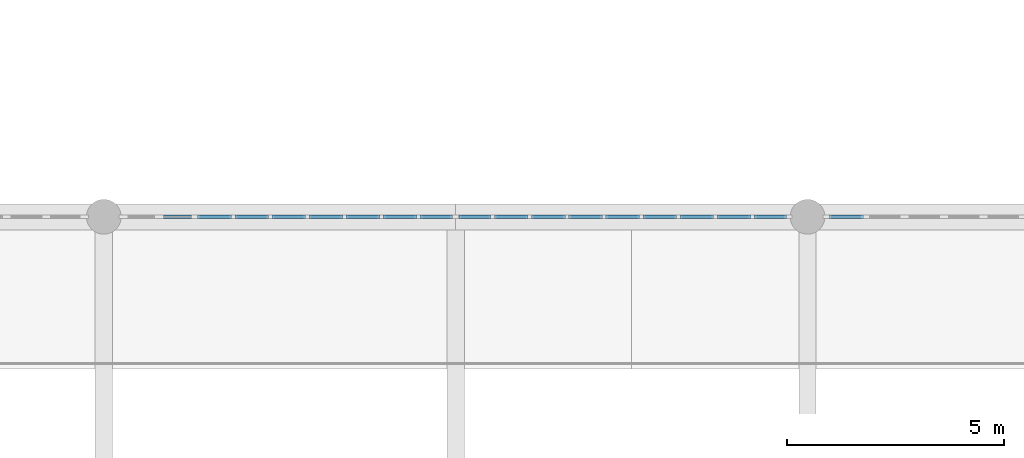
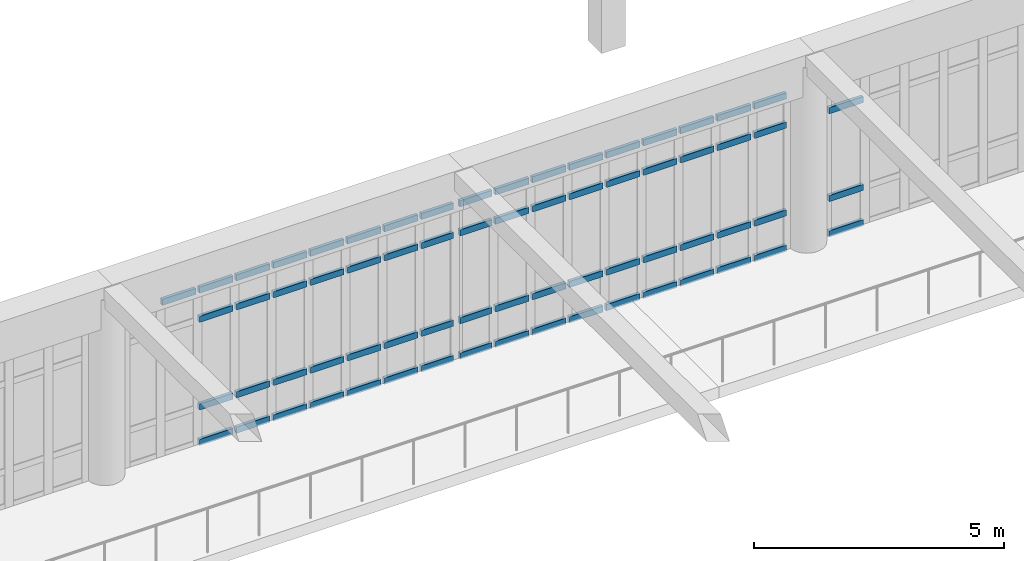
# One storey, part 21 of 61: 68 members, 3 elements without a shape of their own.
"""IFC4 building model written with IfcOpenShell, lengths in metres."""

from ifc_helpers import new_model, si_unit, direction, frame, origin, origin_2d, place, context, subcontext, project, spatial, rectangle, extrude, material, material_profile, profile_set, type_object, element, aggregate, save


model = new_model("IFC4")

# Units and contexts
model_context = context("Model", 3, precision=1e-05, world=origin(), true_north=direction((0.0, 1.0)))
body_context = subcontext(model_context, "Body", "Model", "MODEL_VIEW")
ifc_project = project(units=[si_unit("LENGTHUNIT", "METRE"), si_unit("AREAUNIT", "SQUARE_METRE"), si_unit("VOLUMEUNIT", "CUBIC_METRE"), si_unit("PLANEANGLEUNIT", "RADIAN"), si_unit("MASSUNIT", "GRAM", prefix="KILO")], contexts=[model_context])

# Site, building, storey
site_placement = place(None, origin())
site = spatial("IfcSite", under=ifc_project, at=site_placement, CompositionType="ELEMENT")
building_placement = place(site_placement, origin())
building = spatial("IfcBuilding", under=site, at=building_placement, Name="Tarnveldt Square Police Headquarters", CompositionType="ELEMENT")
storey_placement = place(building_placement, frame((0.0, 0.0, 5.39990234375)))
storey = spatial("IfcBuildingStorey", under=building, at=storey_placement, Name="L01", CompositionType="ELEMENT", Elevation=5.39990234375)

# Curtain wall, members
ifc_material_1 = material(Name="Triple-glazed low-e laminated vision glass", Category="glass")
curtain_wall_type_1 = type_object("IfcCurtainWallType", Name="CW-CT-768x379", PredefinedType="USERDEFINED", material=ifc_material_1)
curtain_wall_1_placement = place(storey_placement, origin())
curtain_wall_1 = element("IfcCurtainWall", 1, at=curtain_wall_1_placement, inside=storey, type_object=curtain_wall_type_1, Name="L01 Curtain Wall CW-L01-020", ObjectType="GLAZED CURTAIN WALL", PredefinedType="USERDEFINED")
ifc_material_2 = material(Name="Thermally broken anodised aluminium 6063-T6", Category="aluminium")
ifc_material_profile = material_profile(ifc_material_2, rectangle(XDim=0.074951171875, YDim=0.14990234375, at=origin_2d()), Name="CW-T75x150")
ifc_profile_set = profile_set([ifc_material_profile], Name="Thermally broken anodised aluminium 6063-T6")
member_type = type_object("IfcMemberType", Name="CWT-75x150", PredefinedType="USERDEFINED", material=ifc_profile_set)
member_1_placement = place(storey_placement, frame((82.306396484375, 48.0, 3.754638671875), z_axis=(1.0, 0.0, 0.0), x_axis=(0.0, 1.0, 0.0)))
member_1 = element("IfcMember", 2, at=member_1_placement, type_object=member_type, Name="CW-CT10 transom 2.4", ObjectType="TRANSOM", PredefinedType="USERDEFINED", context=body_context, shape_type="SweptSolid", body=[
    extrude(rectangle(XDim=0.074951171875, YDim=0.14990234375, at=origin_2d()), origin(), (0.0, 0.0, 1.0), 0.77880859375),
])
member_2_placement = place(storey_placement, frame((83.16015625, 48.0, 0.03759765625), z_axis=(1.0, 0.0, 0.0), x_axis=(0.0, 1.0, 0.0)))
member_2 = element("IfcMember", 3, at=member_2_placement, type_object=member_type, Name="CW-CT10 transom 3.1", ObjectType="TRANSOM", PredefinedType="USERDEFINED", context=body_context, shape_type="SweptSolid", body=[
    extrude(rectangle(XDim=0.074951171875, YDim=0.14990234375, at=origin_2d()), origin(), (0.0, 0.0, 1.0), 0.779052734375),
])
member_3_placement = place(storey_placement, frame((83.16015625, 48.0, 0.900146484375), z_axis=(1.0, 0.0, 0.0), x_axis=(0.0, 1.0, 0.0)))
member_3 = element("IfcMember", 4, at=member_3_placement, type_object=member_type, Name="CW-CT10 transom 3.2", ObjectType="TRANSOM", PredefinedType="USERDEFINED", context=body_context, shape_type="SweptSolid", body=[
    extrude(rectangle(XDim=0.074951171875, YDim=0.14990234375, at=origin_2d()), origin(), (0.0, 0.0, 1.0), 0.779052734375),
])
member_4_placement = place(storey_placement, frame((83.16015625, 48.0, 3.0419921875), z_axis=(1.0, 0.0, 0.0), x_axis=(0.0, 1.0, 0.0)))
member_4 = element("IfcMember", 5, at=member_4_placement, type_object=member_type, Name="CW-CT10 transom 3.3", ObjectType="TRANSOM", PredefinedType="USERDEFINED", context=body_context, shape_type="SweptSolid", body=[
    extrude(rectangle(XDim=0.074951171875, YDim=0.14990234375, at=origin_2d()), origin(), (0.0, 0.0, 1.0), 0.779052734375),
])
member_5_placement = place(storey_placement, frame((83.16015625, 48.0, 3.754638671875), z_axis=(1.0, 0.0, 0.0), x_axis=(0.0, 1.0, 0.0)))
member_5 = element("IfcMember", 6, at=member_5_placement, type_object=member_type, Name="CW-CT10 transom 3.4", ObjectType="TRANSOM", PredefinedType="USERDEFINED", context=body_context, shape_type="SweptSolid", body=[
    extrude(rectangle(XDim=0.074951171875, YDim=0.14990234375, at=origin_2d()), origin(), (0.0, 0.0, 1.0), 0.779052734375),
])
member_6_placement = place(storey_placement, frame((84.01416015625, 48.0, 0.03759765625), z_axis=(1.0, 0.0, 0.0), x_axis=(0.0, 1.0, 0.0)))
member_6 = element("IfcMember", 7, at=member_6_placement, type_object=member_type, Name="CW-CT10 transom 4.1", ObjectType="TRANSOM", PredefinedType="USERDEFINED", context=body_context, shape_type="SweptSolid", body=[
    extrude(rectangle(XDim=0.074951171875, YDim=0.14990234375, at=origin_2d()), origin(), (0.0, 0.0, 1.0), 0.77880859375),
])
member_7_placement = place(storey_placement, frame((84.01416015625, 48.0, 0.900146484375), z_axis=(1.0, 0.0, 0.0), x_axis=(0.0, 1.0, 0.0)))
member_7 = element("IfcMember", 8, at=member_7_placement, type_object=member_type, Name="CW-CT10 transom 4.2", ObjectType="TRANSOM", PredefinedType="USERDEFINED", context=body_context, shape_type="SweptSolid", body=[
    extrude(rectangle(XDim=0.074951171875, YDim=0.14990234375, at=origin_2d()), origin(), (0.0, 0.0, 1.0), 0.77880859375),
])
member_8_placement = place(storey_placement, frame((84.01416015625, 48.0, 3.0419921875), z_axis=(1.0, 0.0, 0.0), x_axis=(0.0, 1.0, 0.0)))
member_8 = element("IfcMember", 9, at=member_8_placement, type_object=member_type, Name="CW-CT10 transom 4.3", ObjectType="TRANSOM", PredefinedType="USERDEFINED", context=body_context, shape_type="SweptSolid", body=[
    extrude(rectangle(XDim=0.074951171875, YDim=0.14990234375, at=origin_2d()), origin(), (0.0, 0.0, 1.0), 0.77880859375),
])
member_9_placement = place(storey_placement, frame((84.01416015625, 48.0, 3.754638671875), z_axis=(1.0, 0.0, 0.0), x_axis=(0.0, 1.0, 0.0)))
member_9 = element("IfcMember", 10, at=member_9_placement, type_object=member_type, Name="CW-CT10 transom 4.4", ObjectType="TRANSOM", PredefinedType="USERDEFINED", context=body_context, shape_type="SweptSolid", body=[
    extrude(rectangle(XDim=0.074951171875, YDim=0.14990234375, at=origin_2d()), origin(), (0.0, 0.0, 1.0), 0.77880859375),
])
member_10_placement = place(storey_placement, frame((84.8681640625, 48.0, 0.03759765625), z_axis=(1.0, 0.0, 0.0), x_axis=(0.0, 1.0, 0.0)))
member_10 = element("IfcMember", 11, at=member_10_placement, type_object=member_type, Name="CW-CT10 transom 5.1", ObjectType="TRANSOM", PredefinedType="USERDEFINED", context=body_context, shape_type="SweptSolid", body=[
    extrude(rectangle(XDim=0.074951171875, YDim=0.14990234375, at=origin_2d()), origin(), (0.0, 0.0, 1.0), 0.77880859375),
])
member_11_placement = place(storey_placement, frame((84.8681640625, 48.0, 0.900146484375), z_axis=(1.0, 0.0, 0.0), x_axis=(0.0, 1.0, 0.0)))
member_11 = element("IfcMember", 12, at=member_11_placement, type_object=member_type, Name="CW-CT10 transom 5.2", ObjectType="TRANSOM", PredefinedType="USERDEFINED", context=body_context, shape_type="SweptSolid", body=[
    extrude(rectangle(XDim=0.074951171875, YDim=0.14990234375, at=origin_2d()), origin(), (0.0, 0.0, 1.0), 0.77880859375),
])
member_12_placement = place(storey_placement, frame((84.8681640625, 48.0, 3.0419921875), z_axis=(1.0, 0.0, 0.0), x_axis=(0.0, 1.0, 0.0)))
member_12 = element("IfcMember", 13, at=member_12_placement, type_object=member_type, Name="CW-CT10 transom 5.3", ObjectType="TRANSOM", PredefinedType="USERDEFINED", context=body_context, shape_type="SweptSolid", body=[
    extrude(rectangle(XDim=0.074951171875, YDim=0.14990234375, at=origin_2d()), origin(), (0.0, 0.0, 1.0), 0.77880859375),
])
member_13_placement = place(storey_placement, frame((84.8681640625, 48.0, 3.754638671875), z_axis=(1.0, 0.0, 0.0), x_axis=(0.0, 1.0, 0.0)))
member_13 = element("IfcMember", 14, at=member_13_placement, type_object=member_type, Name="CW-CT10 transom 5.4", ObjectType="TRANSOM", PredefinedType="USERDEFINED", context=body_context, shape_type="SweptSolid", body=[
    extrude(rectangle(XDim=0.074951171875, YDim=0.14990234375, at=origin_2d()), origin(), (0.0, 0.0, 1.0), 0.77880859375),
])
member_14_placement = place(storey_placement, frame((85.721923828125, 48.0, 0.03759765625), z_axis=(1.0, 0.0, 0.0), x_axis=(0.0, 1.0, 0.0)))
member_14 = element("IfcMember", 15, at=member_14_placement, type_object=member_type, Name="CW-CT10 transom 6.1", ObjectType="TRANSOM", PredefinedType="USERDEFINED", context=body_context, shape_type="SweptSolid", body=[
    extrude(rectangle(XDim=0.074951171875, YDim=0.14990234375, at=origin_2d()), origin(), (0.0, 0.0, 1.0), 0.77880859375),
])
member_15_placement = place(storey_placement, frame((85.721923828125, 48.0, 0.900146484375), z_axis=(1.0, 0.0, 0.0), x_axis=(0.0, 1.0, 0.0)))
member_15 = element("IfcMember", 16, at=member_15_placement, type_object=member_type, Name="CW-CT10 transom 6.2", ObjectType="TRANSOM", PredefinedType="USERDEFINED", context=body_context, shape_type="SweptSolid", body=[
    extrude(rectangle(XDim=0.074951171875, YDim=0.14990234375, at=origin_2d()), origin(), (0.0, 0.0, 1.0), 0.77880859375),
])
member_16_placement = place(storey_placement, frame((85.721923828125, 48.0, 3.0419921875), z_axis=(1.0, 0.0, 0.0), x_axis=(0.0, 1.0, 0.0)))
member_16 = element("IfcMember", 17, at=member_16_placement, type_object=member_type, Name="CW-CT10 transom 6.3", ObjectType="TRANSOM", PredefinedType="USERDEFINED", context=body_context, shape_type="SweptSolid", body=[
    extrude(rectangle(XDim=0.074951171875, YDim=0.14990234375, at=origin_2d()), origin(), (0.0, 0.0, 1.0), 0.77880859375),
])
member_17_placement = place(storey_placement, frame((85.721923828125, 48.0, 3.754638671875), z_axis=(1.0, 0.0, 0.0), x_axis=(0.0, 1.0, 0.0)))
member_17 = element("IfcMember", 18, at=member_17_placement, type_object=member_type, Name="CW-CT10 transom 6.4", ObjectType="TRANSOM", PredefinedType="USERDEFINED", context=body_context, shape_type="SweptSolid", body=[
    extrude(rectangle(XDim=0.074951171875, YDim=0.14990234375, at=origin_2d()), origin(), (0.0, 0.0, 1.0), 0.77880859375),
])
member_18_placement = place(storey_placement, frame((86.575927734375, 48.0, 0.03759765625), z_axis=(1.0, 0.0, 0.0), x_axis=(0.0, 1.0, 0.0)))
member_18 = element("IfcMember", 19, at=member_18_placement, type_object=member_type, Name="CW-CT10 transom 7.1", ObjectType="TRANSOM", PredefinedType="USERDEFINED", context=body_context, shape_type="SweptSolid", body=[
    extrude(rectangle(XDim=0.074951171875, YDim=0.14990234375, at=origin_2d()), origin(), (0.0, 0.0, 1.0), 0.77880859375),
])
member_19_placement = place(storey_placement, frame((86.575927734375, 48.0, 0.900146484375), z_axis=(1.0, 0.0, 0.0), x_axis=(0.0, 1.0, 0.0)))
member_19 = element("IfcMember", 20, at=member_19_placement, type_object=member_type, Name="CW-CT10 transom 7.2", ObjectType="TRANSOM", PredefinedType="USERDEFINED", context=body_context, shape_type="SweptSolid", body=[
    extrude(rectangle(XDim=0.074951171875, YDim=0.14990234375, at=origin_2d()), origin(), (0.0, 0.0, 1.0), 0.77880859375),
])
member_20_placement = place(storey_placement, frame((86.575927734375, 48.0, 3.0419921875), z_axis=(1.0, 0.0, 0.0), x_axis=(0.0, 1.0, 0.0)))
member_20 = element("IfcMember", 21, at=member_20_placement, type_object=member_type, Name="CW-CT10 transom 7.3", ObjectType="TRANSOM", PredefinedType="USERDEFINED", context=body_context, shape_type="SweptSolid", body=[
    extrude(rectangle(XDim=0.074951171875, YDim=0.14990234375, at=origin_2d()), origin(), (0.0, 0.0, 1.0), 0.77880859375),
])
member_21_placement = place(storey_placement, frame((86.575927734375, 48.0, 3.754638671875), z_axis=(1.0, 0.0, 0.0), x_axis=(0.0, 1.0, 0.0)))
member_21 = element("IfcMember", 22, at=member_21_placement, type_object=member_type, Name="CW-CT10 transom 7.4", ObjectType="TRANSOM", PredefinedType="USERDEFINED", context=body_context, shape_type="SweptSolid", body=[
    extrude(rectangle(XDim=0.074951171875, YDim=0.14990234375, at=origin_2d()), origin(), (0.0, 0.0, 1.0), 0.77880859375),
])
member_22_placement = place(storey_placement, frame((87.4296875, 48.0, 0.03759765625), z_axis=(1.0, 0.0, 0.0), x_axis=(0.0, 1.0, 0.0)))
member_22 = element("IfcMember", 23, at=member_22_placement, type_object=member_type, Name="CW-CT10 transom 8.1", ObjectType="TRANSOM", PredefinedType="USERDEFINED", context=body_context, shape_type="SweptSolid", body=[
    extrude(rectangle(XDim=0.074951171875, YDim=0.14990234375, at=origin_2d()), origin(), (0.0, 0.0, 1.0), 0.77880859375),
])
member_23_placement = place(storey_placement, frame((87.4296875, 48.0, 0.900146484375), z_axis=(1.0, 0.0, 0.0), x_axis=(0.0, 1.0, 0.0)))
member_23 = element("IfcMember", 24, at=member_23_placement, type_object=member_type, Name="CW-CT10 transom 8.2", ObjectType="TRANSOM", PredefinedType="USERDEFINED", context=body_context, shape_type="SweptSolid", body=[
    extrude(rectangle(XDim=0.074951171875, YDim=0.14990234375, at=origin_2d()), origin(), (0.0, 0.0, 1.0), 0.77880859375),
])
member_24_placement = place(storey_placement, frame((87.4296875, 48.0, 3.0419921875), z_axis=(1.0, 0.0, 0.0), x_axis=(0.0, 1.0, 0.0)))
member_24 = element("IfcMember", 25, at=member_24_placement, type_object=member_type, Name="CW-CT10 transom 8.3", ObjectType="TRANSOM", PredefinedType="USERDEFINED", context=body_context, shape_type="SweptSolid", body=[
    extrude(rectangle(XDim=0.074951171875, YDim=0.14990234375, at=origin_2d()), origin(), (0.0, 0.0, 1.0), 0.77880859375),
])
member_25_placement = place(storey_placement, frame((87.4296875, 48.0, 3.754638671875), z_axis=(1.0, 0.0, 0.0), x_axis=(0.0, 1.0, 0.0)))
member_25 = element("IfcMember", 26, at=member_25_placement, type_object=member_type, Name="CW-CT10 transom 8.4", ObjectType="TRANSOM", PredefinedType="USERDEFINED", context=body_context, shape_type="SweptSolid", body=[
    extrude(rectangle(XDim=0.074951171875, YDim=0.14990234375, at=origin_2d()), origin(), (0.0, 0.0, 1.0), 0.77880859375),
])
member_26_placement = place(storey_placement, frame((88.28369140625, 48.0, 0.03759765625), z_axis=(1.0, 0.0, 0.0), x_axis=(0.0, 1.0, 0.0)))
member_26 = element("IfcMember", 27, at=member_26_placement, type_object=member_type, Name="CW-CT10 transom 9.1", ObjectType="TRANSOM", PredefinedType="USERDEFINED", context=body_context, shape_type="SweptSolid", body=[
    extrude(rectangle(XDim=0.074951171875, YDim=0.14990234375, at=origin_2d()), origin(), (0.0, 0.0, 1.0), 0.7412109375),
])
member_27_placement = place(storey_placement, frame((88.28369140625, 48.0, 0.900146484375), z_axis=(1.0, 0.0, 0.0), x_axis=(0.0, 1.0, 0.0)))
member_27 = element("IfcMember", 28, at=member_27_placement, type_object=member_type, Name="CW-CT10 transom 9.2", ObjectType="TRANSOM", PredefinedType="USERDEFINED", context=body_context, shape_type="SweptSolid", body=[
    extrude(rectangle(XDim=0.074951171875, YDim=0.14990234375, at=origin_2d()), origin(), (0.0, 0.0, 1.0), 0.7412109375),
])
member_28_placement = place(storey_placement, frame((88.28369140625, 48.0, 3.0419921875), z_axis=(1.0, 0.0, 0.0), x_axis=(0.0, 1.0, 0.0)))
member_28 = element("IfcMember", 29, at=member_28_placement, type_object=member_type, Name="CW-CT10 transom 9.3", ObjectType="TRANSOM", PredefinedType="USERDEFINED", context=body_context, shape_type="SweptSolid", body=[
    extrude(rectangle(XDim=0.074951171875, YDim=0.14990234375, at=origin_2d()), origin(), (0.0, 0.0, 1.0), 0.7412109375),
])
member_29_placement = place(storey_placement, frame((88.28369140625, 48.0, 3.754638671875), z_axis=(1.0, 0.0, 0.0), x_axis=(0.0, 1.0, 0.0)))
member_29 = element("IfcMember", 30, at=member_29_placement, type_object=member_type, Name="CW-CT10 transom 9.4", ObjectType="TRANSOM", PredefinedType="USERDEFINED", context=body_context, shape_type="SweptSolid", body=[
    extrude(rectangle(XDim=0.074951171875, YDim=0.14990234375, at=origin_2d()), origin(), (0.0, 0.0, 1.0), 0.7412109375),
])
aggregate(curtain_wall_1, [member_1, member_2, member_3, member_4, member_5, member_6, member_7, member_8, member_9, member_10, member_11, member_12, member_13, member_14, member_15, member_16, member_17, member_18, member_19, member_20, member_21, member_22, member_23, member_24, member_25, member_26, member_27, member_28, member_29])

curtain_wall_type_2 = type_object("IfcCurtainWallType", Name="CW-CT-769x379", PredefinedType="USERDEFINED", material=ifc_material_1)
curtain_wall_2_placement = place(storey_placement, origin())
curtain_wall_2 = element("IfcCurtainWall", 31, at=curtain_wall_2_placement, inside=storey, type_object=curtain_wall_type_2, Name="L01 Curtain Wall CW-L01-021", ObjectType="GLAZED CURTAIN WALL", PredefinedType="USERDEFINED")
member_30_placement = place(storey_placement, frame((89.175048828125, 48.0, 0.03759765625), z_axis=(1.0, 0.0, 0.0), x_axis=(0.0, 1.0, 0.0)))
member_30 = element("IfcMember", 32, at=member_30_placement, type_object=member_type, Name="CW-CT11 transom 1.1", ObjectType="TRANSOM", PredefinedType="USERDEFINED", context=body_context, shape_type="SweptSolid", body=[
    extrude(rectangle(XDim=0.074951171875, YDim=0.14990234375, at=origin_2d()), origin(), (0.0, 0.0, 1.0), 0.741455078125),
])
member_31_placement = place(storey_placement, frame((89.175048828125, 48.0, 0.900146484375), z_axis=(1.0, 0.0, 0.0), x_axis=(0.0, 1.0, 0.0)))
member_31 = element("IfcMember", 33, at=member_31_placement, type_object=member_type, Name="CW-CT11 transom 1.2", ObjectType="TRANSOM", PredefinedType="USERDEFINED", context=body_context, shape_type="SweptSolid", body=[
    extrude(rectangle(XDim=0.074951171875, YDim=0.14990234375, at=origin_2d()), origin(), (0.0, 0.0, 1.0), 0.741455078125),
])
member_32_placement = place(storey_placement, frame((89.175048828125, 48.0, 3.0419921875), z_axis=(1.0, 0.0, 0.0), x_axis=(0.0, 1.0, 0.0)))
member_32 = element("IfcMember", 34, at=member_32_placement, type_object=member_type, Name="CW-CT11 transom 1.3", ObjectType="TRANSOM", PredefinedType="USERDEFINED", context=body_context, shape_type="SweptSolid", body=[
    extrude(rectangle(XDim=0.074951171875, YDim=0.14990234375, at=origin_2d()), origin(), (0.0, 0.0, 1.0), 0.741455078125),
])
member_33_placement = place(storey_placement, frame((89.175048828125, 48.0, 3.754638671875), z_axis=(1.0, 0.0, 0.0), x_axis=(0.0, 1.0, 0.0)))
member_33 = element("IfcMember", 35, at=member_33_placement, type_object=member_type, Name="CW-CT11 transom 1.4", ObjectType="TRANSOM", PredefinedType="USERDEFINED", context=body_context, shape_type="SweptSolid", body=[
    extrude(rectangle(XDim=0.074951171875, YDim=0.14990234375, at=origin_2d()), origin(), (0.0, 0.0, 1.0), 0.741455078125),
])
member_34_placement = place(storey_placement, frame((89.991455078125, 48.0, 0.03759765625), z_axis=(1.0, 0.0, 0.0), x_axis=(0.0, 1.0, 0.0)))
member_34 = element("IfcMember", 36, at=member_34_placement, type_object=member_type, Name="CW-CT11 transom 2.1", ObjectType="TRANSOM", PredefinedType="USERDEFINED", context=body_context, shape_type="SweptSolid", body=[
    extrude(rectangle(XDim=0.074951171875, YDim=0.14990234375, at=origin_2d()), origin(), (0.0, 0.0, 1.0), 0.77880859375),
])
member_35_placement = place(storey_placement, frame((89.991455078125, 48.0, 0.900146484375), z_axis=(1.0, 0.0, 0.0), x_axis=(0.0, 1.0, 0.0)))
member_35 = element("IfcMember", 37, at=member_35_placement, type_object=member_type, Name="CW-CT11 transom 2.2", ObjectType="TRANSOM", PredefinedType="USERDEFINED", context=body_context, shape_type="SweptSolid", body=[
    extrude(rectangle(XDim=0.074951171875, YDim=0.14990234375, at=origin_2d()), origin(), (0.0, 0.0, 1.0), 0.77880859375),
])
member_36_placement = place(storey_placement, frame((89.991455078125, 48.0, 3.0419921875), z_axis=(1.0, 0.0, 0.0), x_axis=(0.0, 1.0, 0.0)))
member_36 = element("IfcMember", 38, at=member_36_placement, type_object=member_type, Name="CW-CT11 transom 2.3", ObjectType="TRANSOM", PredefinedType="USERDEFINED", context=body_context, shape_type="SweptSolid", body=[
    extrude(rectangle(XDim=0.074951171875, YDim=0.14990234375, at=origin_2d()), origin(), (0.0, 0.0, 1.0), 0.77880859375),
])
member_37_placement = place(storey_placement, frame((89.991455078125, 48.0, 3.754638671875), z_axis=(1.0, 0.0, 0.0), x_axis=(0.0, 1.0, 0.0)))
member_37 = element("IfcMember", 39, at=member_37_placement, type_object=member_type, Name="CW-CT11 transom 2.4", ObjectType="TRANSOM", PredefinedType="USERDEFINED", context=body_context, shape_type="SweptSolid", body=[
    extrude(rectangle(XDim=0.074951171875, YDim=0.14990234375, at=origin_2d()), origin(), (0.0, 0.0, 1.0), 0.77880859375),
])
member_38_placement = place(storey_placement, frame((90.84521484375, 48.0, 0.03759765625), z_axis=(1.0, 0.0, 0.0), x_axis=(0.0, 1.0, 0.0)))
member_38 = element("IfcMember", 40, at=member_38_placement, type_object=member_type, Name="CW-CT11 transom 3.1", ObjectType="TRANSOM", PredefinedType="USERDEFINED", context=body_context, shape_type="SweptSolid", body=[
    extrude(rectangle(XDim=0.074951171875, YDim=0.14990234375, at=origin_2d()), origin(), (0.0, 0.0, 1.0), 0.779052734375),
])
member_39_placement = place(storey_placement, frame((90.84521484375, 48.0, 0.900146484375), z_axis=(1.0, 0.0, 0.0), x_axis=(0.0, 1.0, 0.0)))
member_39 = element("IfcMember", 41, at=member_39_placement, type_object=member_type, Name="CW-CT11 transom 3.2", ObjectType="TRANSOM", PredefinedType="USERDEFINED", context=body_context, shape_type="SweptSolid", body=[
    extrude(rectangle(XDim=0.074951171875, YDim=0.14990234375, at=origin_2d()), origin(), (0.0, 0.0, 1.0), 0.779052734375),
])
member_40_placement = place(storey_placement, frame((90.84521484375, 48.0, 3.0419921875), z_axis=(1.0, 0.0, 0.0), x_axis=(0.0, 1.0, 0.0)))
member_40 = element("IfcMember", 42, at=member_40_placement, type_object=member_type, Name="CW-CT11 transom 3.3", ObjectType="TRANSOM", PredefinedType="USERDEFINED", context=body_context, shape_type="SweptSolid", body=[
    extrude(rectangle(XDim=0.074951171875, YDim=0.14990234375, at=origin_2d()), origin(), (0.0, 0.0, 1.0), 0.779052734375),
])
member_41_placement = place(storey_placement, frame((90.84521484375, 48.0, 3.754638671875), z_axis=(1.0, 0.0, 0.0), x_axis=(0.0, 1.0, 0.0)))
member_41 = element("IfcMember", 43, at=member_41_placement, type_object=member_type, Name="CW-CT11 transom 3.4", ObjectType="TRANSOM", PredefinedType="USERDEFINED", context=body_context, shape_type="SweptSolid", body=[
    extrude(rectangle(XDim=0.074951171875, YDim=0.14990234375, at=origin_2d()), origin(), (0.0, 0.0, 1.0), 0.779052734375),
])
member_42_placement = place(storey_placement, frame((91.69921875, 48.0, 0.03759765625), z_axis=(1.0, 0.0, 0.0), x_axis=(0.0, 1.0, 0.0)))
member_42 = element("IfcMember", 44, at=member_42_placement, type_object=member_type, Name="CW-CT11 transom 4.1", ObjectType="TRANSOM", PredefinedType="USERDEFINED", context=body_context, shape_type="SweptSolid", body=[
    extrude(rectangle(XDim=0.074951171875, YDim=0.14990234375, at=origin_2d()), origin(), (0.0, 0.0, 1.0), 0.77880859375),
])
member_43_placement = place(storey_placement, frame((91.69921875, 48.0, 0.900146484375), z_axis=(1.0, 0.0, 0.0), x_axis=(0.0, 1.0, 0.0)))
member_43 = element("IfcMember", 45, at=member_43_placement, type_object=member_type, Name="CW-CT11 transom 4.2", ObjectType="TRANSOM", PredefinedType="USERDEFINED", context=body_context, shape_type="SweptSolid", body=[
    extrude(rectangle(XDim=0.074951171875, YDim=0.14990234375, at=origin_2d()), origin(), (0.0, 0.0, 1.0), 0.77880859375),
])
member_44_placement = place(storey_placement, frame((91.69921875, 48.0, 3.0419921875), z_axis=(1.0, 0.0, 0.0), x_axis=(0.0, 1.0, 0.0)))
member_44 = element("IfcMember", 46, at=member_44_placement, type_object=member_type, Name="CW-CT11 transom 4.3", ObjectType="TRANSOM", PredefinedType="USERDEFINED", context=body_context, shape_type="SweptSolid", body=[
    extrude(rectangle(XDim=0.074951171875, YDim=0.14990234375, at=origin_2d()), origin(), (0.0, 0.0, 1.0), 0.77880859375),
])
member_45_placement = place(storey_placement, frame((91.69921875, 48.0, 3.754638671875), z_axis=(1.0, 0.0, 0.0), x_axis=(0.0, 1.0, 0.0)))
member_45 = element("IfcMember", 47, at=member_45_placement, type_object=member_type, Name="CW-CT11 transom 4.4", ObjectType="TRANSOM", PredefinedType="USERDEFINED", context=body_context, shape_type="SweptSolid", body=[
    extrude(rectangle(XDim=0.074951171875, YDim=0.14990234375, at=origin_2d()), origin(), (0.0, 0.0, 1.0), 0.77880859375),
])
member_46_placement = place(storey_placement, frame((92.552978515625, 48.0, 0.03759765625), z_axis=(1.0, 0.0, 0.0), x_axis=(0.0, 1.0, 0.0)))
member_46 = element("IfcMember", 48, at=member_46_placement, type_object=member_type, Name="CW-CT11 transom 5.1", ObjectType="TRANSOM", PredefinedType="USERDEFINED", context=body_context, shape_type="SweptSolid", body=[
    extrude(rectangle(XDim=0.074951171875, YDim=0.14990234375, at=origin_2d()), origin(), (0.0, 0.0, 1.0), 0.779052734375),
])
member_47_placement = place(storey_placement, frame((92.552978515625, 48.0, 0.900146484375), z_axis=(1.0, 0.0, 0.0), x_axis=(0.0, 1.0, 0.0)))
member_47 = element("IfcMember", 49, at=member_47_placement, type_object=member_type, Name="CW-CT11 transom 5.2", ObjectType="TRANSOM", PredefinedType="USERDEFINED", context=body_context, shape_type="SweptSolid", body=[
    extrude(rectangle(XDim=0.074951171875, YDim=0.14990234375, at=origin_2d()), origin(), (0.0, 0.0, 1.0), 0.779052734375),
])
member_48_placement = place(storey_placement, frame((92.552978515625, 48.0, 3.0419921875), z_axis=(1.0, 0.0, 0.0), x_axis=(0.0, 1.0, 0.0)))
member_48 = element("IfcMember", 50, at=member_48_placement, type_object=member_type, Name="CW-CT11 transom 5.3", ObjectType="TRANSOM", PredefinedType="USERDEFINED", context=body_context, shape_type="SweptSolid", body=[
    extrude(rectangle(XDim=0.074951171875, YDim=0.14990234375, at=origin_2d()), origin(), (0.0, 0.0, 1.0), 0.779052734375),
])
member_49_placement = place(storey_placement, frame((92.552978515625, 48.0, 3.754638671875), z_axis=(1.0, 0.0, 0.0), x_axis=(0.0, 1.0, 0.0)))
member_49 = element("IfcMember", 51, at=member_49_placement, type_object=member_type, Name="CW-CT11 transom 5.4", ObjectType="TRANSOM", PredefinedType="USERDEFINED", context=body_context, shape_type="SweptSolid", body=[
    extrude(rectangle(XDim=0.074951171875, YDim=0.14990234375, at=origin_2d()), origin(), (0.0, 0.0, 1.0), 0.779052734375),
])
member_50_placement = place(storey_placement, frame((93.406982421875, 48.0, 0.03759765625), z_axis=(1.0, 0.0, 0.0), x_axis=(0.0, 1.0, 0.0)))
member_50 = element("IfcMember", 52, at=member_50_placement, type_object=member_type, Name="CW-CT11 transom 6.1", ObjectType="TRANSOM", PredefinedType="USERDEFINED", context=body_context, shape_type="SweptSolid", body=[
    extrude(rectangle(XDim=0.074951171875, YDim=0.14990234375, at=origin_2d()), origin(), (0.0, 0.0, 1.0), 0.77880859375),
])
member_51_placement = place(storey_placement, frame((93.406982421875, 48.0, 0.900146484375), z_axis=(1.0, 0.0, 0.0), x_axis=(0.0, 1.0, 0.0)))
member_51 = element("IfcMember", 53, at=member_51_placement, type_object=member_type, Name="CW-CT11 transom 6.2", ObjectType="TRANSOM", PredefinedType="USERDEFINED", context=body_context, shape_type="SweptSolid", body=[
    extrude(rectangle(XDim=0.074951171875, YDim=0.14990234375, at=origin_2d()), origin(), (0.0, 0.0, 1.0), 0.77880859375),
])
member_52_placement = place(storey_placement, frame((93.406982421875, 48.0, 3.0419921875), z_axis=(1.0, 0.0, 0.0), x_axis=(0.0, 1.0, 0.0)))
member_52 = element("IfcMember", 54, at=member_52_placement, type_object=member_type, Name="CW-CT11 transom 6.3", ObjectType="TRANSOM", PredefinedType="USERDEFINED", context=body_context, shape_type="SweptSolid", body=[
    extrude(rectangle(XDim=0.074951171875, YDim=0.14990234375, at=origin_2d()), origin(), (0.0, 0.0, 1.0), 0.77880859375),
])
member_53_placement = place(storey_placement, frame((93.406982421875, 48.0, 3.754638671875), z_axis=(1.0, 0.0, 0.0), x_axis=(0.0, 1.0, 0.0)))
member_53 = element("IfcMember", 55, at=member_53_placement, type_object=member_type, Name="CW-CT11 transom 6.4", ObjectType="TRANSOM", PredefinedType="USERDEFINED", context=body_context, shape_type="SweptSolid", body=[
    extrude(rectangle(XDim=0.074951171875, YDim=0.14990234375, at=origin_2d()), origin(), (0.0, 0.0, 1.0), 0.77880859375),
])
member_54_placement = place(storey_placement, frame((94.2607421875, 48.0, 0.03759765625), z_axis=(1.0, 0.0, 0.0), x_axis=(0.0, 1.0, 0.0)))
member_54 = element("IfcMember", 56, at=member_54_placement, type_object=member_type, Name="CW-CT11 transom 7.1", ObjectType="TRANSOM", PredefinedType="USERDEFINED", context=body_context, shape_type="SweptSolid", body=[
    extrude(rectangle(XDim=0.074951171875, YDim=0.14990234375, at=origin_2d()), origin(), (0.0, 0.0, 1.0), 0.779052734375),
])
member_55_placement = place(storey_placement, frame((94.2607421875, 48.0, 0.900146484375), z_axis=(1.0, 0.0, 0.0), x_axis=(0.0, 1.0, 0.0)))
member_55 = element("IfcMember", 57, at=member_55_placement, type_object=member_type, Name="CW-CT11 transom 7.2", ObjectType="TRANSOM", PredefinedType="USERDEFINED", context=body_context, shape_type="SweptSolid", body=[
    extrude(rectangle(XDim=0.074951171875, YDim=0.14990234375, at=origin_2d()), origin(), (0.0, 0.0, 1.0), 0.779052734375),
])
member_56_placement = place(storey_placement, frame((94.2607421875, 48.0, 3.0419921875), z_axis=(1.0, 0.0, 0.0), x_axis=(0.0, 1.0, 0.0)))
member_56 = element("IfcMember", 58, at=member_56_placement, type_object=member_type, Name="CW-CT11 transom 7.3", ObjectType="TRANSOM", PredefinedType="USERDEFINED", context=body_context, shape_type="SweptSolid", body=[
    extrude(rectangle(XDim=0.074951171875, YDim=0.14990234375, at=origin_2d()), origin(), (0.0, 0.0, 1.0), 0.779052734375),
])
member_57_placement = place(storey_placement, frame((94.2607421875, 48.0, 3.754638671875), z_axis=(1.0, 0.0, 0.0), x_axis=(0.0, 1.0, 0.0)))
member_57 = element("IfcMember", 59, at=member_57_placement, type_object=member_type, Name="CW-CT11 transom 7.4", ObjectType="TRANSOM", PredefinedType="USERDEFINED", context=body_context, shape_type="SweptSolid", body=[
    extrude(rectangle(XDim=0.074951171875, YDim=0.14990234375, at=origin_2d()), origin(), (0.0, 0.0, 1.0), 0.779052734375),
])
member_58_placement = place(storey_placement, frame((95.11474609375, 48.0, 0.03759765625), z_axis=(1.0, 0.0, 0.0), x_axis=(0.0, 1.0, 0.0)))
member_58 = element("IfcMember", 60, at=member_58_placement, type_object=member_type, Name="CW-CT11 transom 8.1", ObjectType="TRANSOM", PredefinedType="USERDEFINED", context=body_context, shape_type="SweptSolid", body=[
    extrude(rectangle(XDim=0.074951171875, YDim=0.14990234375, at=origin_2d()), origin(), (0.0, 0.0, 1.0), 0.77880859375),
])
member_59_placement = place(storey_placement, frame((95.11474609375, 48.0, 0.900146484375), z_axis=(1.0, 0.0, 0.0), x_axis=(0.0, 1.0, 0.0)))
member_59 = element("IfcMember", 61, at=member_59_placement, type_object=member_type, Name="CW-CT11 transom 8.2", ObjectType="TRANSOM", PredefinedType="USERDEFINED", context=body_context, shape_type="SweptSolid", body=[
    extrude(rectangle(XDim=0.074951171875, YDim=0.14990234375, at=origin_2d()), origin(), (0.0, 0.0, 1.0), 0.77880859375),
])
member_60_placement = place(storey_placement, frame((95.11474609375, 48.0, 3.0419921875), z_axis=(1.0, 0.0, 0.0), x_axis=(0.0, 1.0, 0.0)))
member_60 = element("IfcMember", 62, at=member_60_placement, type_object=member_type, Name="CW-CT11 transom 8.3", ObjectType="TRANSOM", PredefinedType="USERDEFINED", context=body_context, shape_type="SweptSolid", body=[
    extrude(rectangle(XDim=0.074951171875, YDim=0.14990234375, at=origin_2d()), origin(), (0.0, 0.0, 1.0), 0.77880859375),
])
member_61_placement = place(storey_placement, frame((95.11474609375, 48.0, 3.754638671875), z_axis=(1.0, 0.0, 0.0), x_axis=(0.0, 1.0, 0.0)))
member_61 = element("IfcMember", 63, at=member_61_placement, type_object=member_type, Name="CW-CT11 transom 8.4", ObjectType="TRANSOM", PredefinedType="USERDEFINED", context=body_context, shape_type="SweptSolid", body=[
    extrude(rectangle(XDim=0.074951171875, YDim=0.14990234375, at=origin_2d()), origin(), (0.0, 0.0, 1.0), 0.77880859375),
])
member_62_placement = place(storey_placement, frame((95.968505859375, 48.0, 0.03759765625), z_axis=(1.0, 0.0, 0.0), x_axis=(0.0, 1.0, 0.0)))
member_62 = element("IfcMember", 64, at=member_62_placement, type_object=member_type, Name="CW-CT11 transom 9.1", ObjectType="TRANSOM", PredefinedType="USERDEFINED", context=body_context, shape_type="SweptSolid", body=[
    extrude(rectangle(XDim=0.074951171875, YDim=0.14990234375, at=origin_2d()), origin(), (0.0, 0.0, 1.0), 0.741455078125),
])
member_63_placement = place(storey_placement, frame((95.968505859375, 48.0, 0.900146484375), z_axis=(1.0, 0.0, 0.0), x_axis=(0.0, 1.0, 0.0)))
member_63 = element("IfcMember", 65, at=member_63_placement, type_object=member_type, Name="CW-CT11 transom 9.2", ObjectType="TRANSOM", PredefinedType="USERDEFINED", context=body_context, shape_type="SweptSolid", body=[
    extrude(rectangle(XDim=0.074951171875, YDim=0.14990234375, at=origin_2d()), origin(), (0.0, 0.0, 1.0), 0.741455078125),
])
member_64_placement = place(storey_placement, frame((95.968505859375, 48.0, 3.0419921875), z_axis=(1.0, 0.0, 0.0), x_axis=(0.0, 1.0, 0.0)))
member_64 = element("IfcMember", 66, at=member_64_placement, type_object=member_type, Name="CW-CT11 transom 9.3", ObjectType="TRANSOM", PredefinedType="USERDEFINED", context=body_context, shape_type="SweptSolid", body=[
    extrude(rectangle(XDim=0.074951171875, YDim=0.14990234375, at=origin_2d()), origin(), (0.0, 0.0, 1.0), 0.741455078125),
])
member_65_placement = place(storey_placement, frame((95.968505859375, 48.0, 3.754638671875), z_axis=(1.0, 0.0, 0.0), x_axis=(0.0, 1.0, 0.0)))
member_65 = element("IfcMember", 67, at=member_65_placement, type_object=member_type, Name="CW-CT11 transom 9.4", ObjectType="TRANSOM", PredefinedType="USERDEFINED", context=body_context, shape_type="SweptSolid", body=[
    extrude(rectangle(XDim=0.074951171875, YDim=0.14990234375, at=origin_2d()), origin(), (0.0, 0.0, 1.0), 0.741455078125),
])
aggregate(curtain_wall_2, [member_30, member_31, member_32, member_33, member_34, member_35, member_36, member_37, member_38, member_39, member_40, member_41, member_42, member_43, member_44, member_45, member_46, member_47, member_48, member_49, member_50, member_51, member_52, member_53, member_54, member_55, member_56, member_57, member_58, member_59, member_60, member_61, member_62, member_63, member_64, member_65])

curtain_wall_type_3 = type_object("IfcCurtainWallType", Name="CW-CT-727x379", PredefinedType="USERDEFINED", material=ifc_material_1)
curtain_wall_3_placement = place(storey_placement, origin())
curtain_wall_3 = element("IfcCurtainWall", 68, at=curtain_wall_3_placement, inside=storey, type_object=curtain_wall_type_3, Name="L01 Curtain Wall CW-L01-022", ObjectType="GLAZED CURTAIN WALL", PredefinedType="USERDEFINED")
member_66_placement = place(storey_placement, frame((97.68994140625, 48.0, 0.03759765625), z_axis=(1.0, 0.0, 0.0), x_axis=(0.0, 1.0, 0.0)))
member_66 = element("IfcMember", 69, at=member_66_placement, type_object=member_type, Name="CW-CT09 transom 1.1", ObjectType="TRANSOM", PredefinedType="USERDEFINED", context=body_context, shape_type="SweptSolid", body=[
    extrude(rectangle(XDim=0.074951171875, YDim=0.14990234375, at=origin_2d()), origin(), (0.0, 0.0, 1.0), 0.79638671875),
])
member_67_placement = place(storey_placement, frame((97.68994140625, 48.0, 0.900146484375), z_axis=(1.0, 0.0, 0.0), x_axis=(0.0, 1.0, 0.0)))
member_67 = element("IfcMember", 70, at=member_67_placement, type_object=member_type, Name="CW-CT09 transom 1.2", ObjectType="TRANSOM", PredefinedType="USERDEFINED", context=body_context, shape_type="SweptSolid", body=[
    extrude(rectangle(XDim=0.074951171875, YDim=0.14990234375, at=origin_2d()), origin(), (0.0, 0.0, 1.0), 0.79638671875),
])
member_68_placement = place(storey_placement, frame((97.68994140625, 48.0, 3.0419921875), z_axis=(1.0, 0.0, 0.0), x_axis=(0.0, 1.0, 0.0)))
member_68 = element("IfcMember", 71, at=member_68_placement, type_object=member_type, Name="CW-CT09 transom 1.3", ObjectType="TRANSOM", PredefinedType="USERDEFINED", context=body_context, shape_type="SweptSolid", body=[
    extrude(rectangle(XDim=0.074951171875, YDim=0.14990234375, at=origin_2d()), origin(), (0.0, 0.0, 1.0), 0.79638671875),
])
aggregate(curtain_wall_3, [member_66, member_67, member_68])

save(model, "model.ifc")
